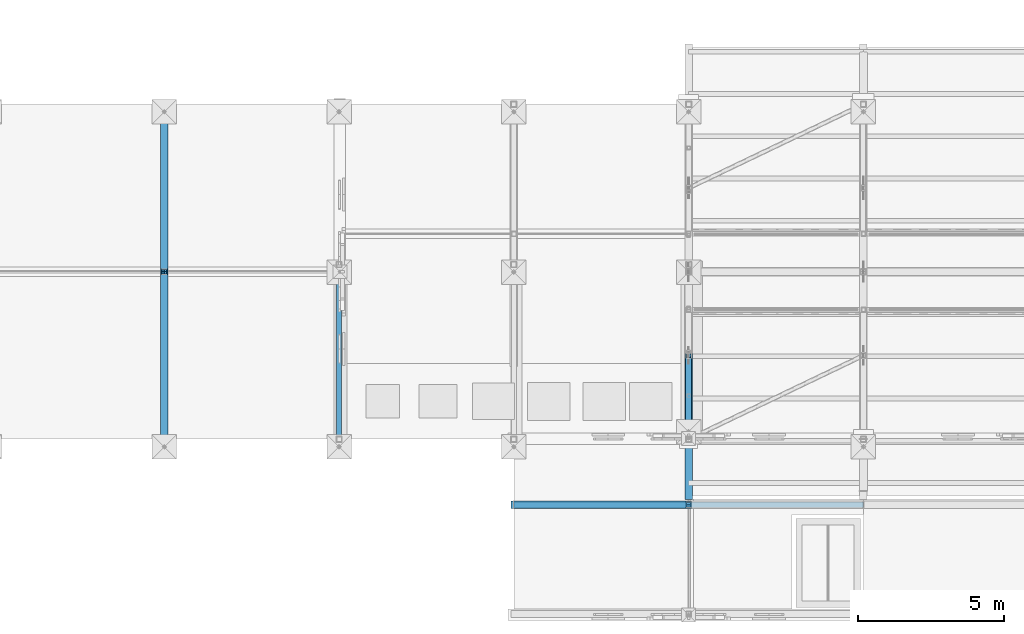
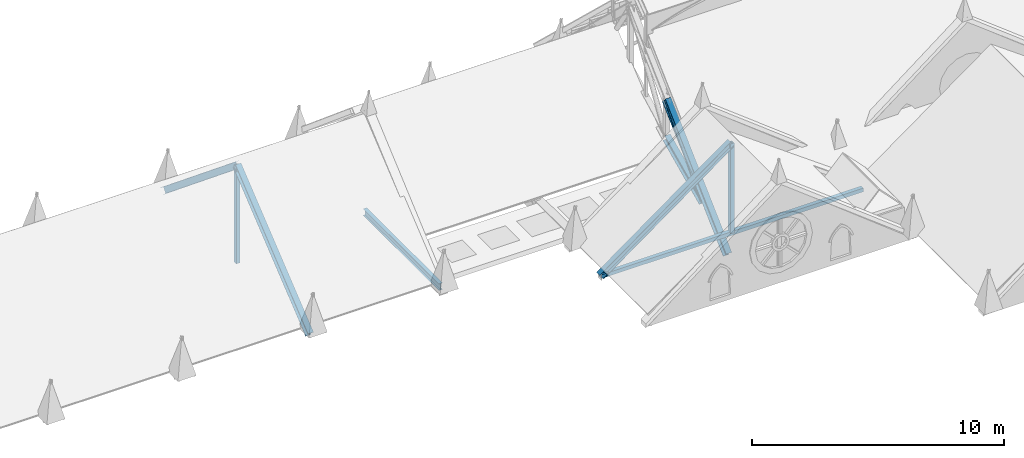
# One storey, part 4 of 33: 9 members, 1 beam.
"""IFC4 building model written with IfcOpenShell, lengths in metres."""

from ifc_helpers import new_model, si_unit, direction, frame, origin, origin_2d, place, context, subcontext, project, spatial, hollow_rectangle, hollow_circle, i_section, extrude, material, material_profile, profile_set, type_object, element, save


model = new_model("IFC4")

# Units and contexts
model_context = context("Model", 3, precision=1e-05, world=origin(), true_north=direction((0.0, 1.0)))
body_context = subcontext(model_context, "Body", "Model", "MODEL_VIEW")
ifc_project = project(units=[si_unit("LENGTHUNIT", "METRE"), si_unit("AREAUNIT", "SQUARE_METRE"), si_unit("VOLUMEUNIT", "CUBIC_METRE"), si_unit("PLANEANGLEUNIT", "RADIAN"), si_unit("MASSUNIT", "GRAM", prefix="KILO")], contexts=[model_context])

# Site, building, storey
site_placement = place(None, origin())
site = spatial("IfcSite", under=ifc_project, at=site_placement, CompositionType="ELEMENT")
building_placement = place(site_placement, origin())
building = spatial("IfcBuilding", under=site, at=building_placement, Name="Cumevento Cable Car Station", CompositionType="ELEMENT")
storey_placement = place(building_placement, frame((0.0, 0.0, 22.5)))
storey = spatial("IfcBuildingStorey", under=building, at=storey_placement, Name="RF", CompositionType="ELEMENT", Elevation=22.5)

# Members
ifc_material_1 = material(Name="Steel ASTM A572 Grade 50", Category="steel")
ifc_material_profile_1 = material_profile(ifc_material_1, hollow_rectangle(XDim=0.179931640625, YDim=0.179931640625, WallThickness=0.010009765625, at=origin_2d()), Name="HSS180x180x10.0")
ifc_profile_set_1 = profile_set([ifc_material_profile_1], Name="Steel ASTM A572 Grade 50")
member_type_1 = type_object("IfcMemberType", Name="Framing Brace BR-01 HSS180x180x10.0", PredefinedType="BRACE", material=ifc_profile_set_1)
member_1_placement = place(storey_placement, frame((58.0, 42.75, 0.0), z_axis=(1.0, 0.0, 0.0), x_axis=(0.0, 1.0, 0.0)))
element("IfcMember", 1, at=member_1_placement, inside=storey, type_object=member_type_1, Name="Wing B_V2c Truss Tie #712", PredefinedType="BRACE", context=body_context, shape_type="SweptSolid", body=[
    extrude(hollow_rectangle(XDim=0.179931640625, YDim=0.179931640625, WallThickness=0.010009765625, at=origin_2d()), origin(), (0.0, 0.0, 1.0), 12.0),
])
member_2_placement = place(storey_placement, frame((64.0, 42.75, 0.0), z_axis=(0.0, 0.0, 1.0), x_axis=(1.0, 0.0, 0.0)))
element("IfcMember", 2, at=member_2_placement, inside=storey, type_object=member_type_1, Name="Wing B_V2c King Post #713", PredefinedType="BRACE", context=body_context, shape_type="SweptSolid", body=[
    extrude(hollow_rectangle(XDim=0.179931640625, YDim=0.179931640625, WallThickness=0.010009765625, at=origin_2d()), origin(), (0.0, 0.0, 1.0), 4.35009765625),
])
member_3_placement = place(storey_placement, frame((46.0, 50.75, 0.0), z_axis=(0.0, 0.0, 1.0), x_axis=(1.0, 0.0, 0.0)))
element("IfcMember", 3, at=member_3_placement, inside=storey, type_object=member_type_1, Name="Wing B_V6c King Post #747", PredefinedType="BRACE", context=body_context, shape_type="SweptSolid", body=[
    extrude(hollow_rectangle(XDim=0.179931640625, YDim=0.179931640625, WallThickness=0.010009765625, at=origin_2d()), origin(), (0.0, 0.0, 1.0), 4.699951171875),
])
ifc_material_2 = material(Name="Steel ASTM A572 Grade 50", Category="steel")
ifc_material_profile_2 = material_profile(ifc_material_2, hollow_circle(Radius=0.109619140625, WallThickness=0.012451171875, at=origin_2d()), Name="CHS219.1x12.5")
ifc_profile_set_2 = profile_set([ifc_material_profile_2], Name="Steel ASTM A572 Grade 50")
member_type_2 = type_object("IfcMemberType", Name="Framing Brace TD-01 CHS219.1x12.5", PredefinedType="BRACE", material=ifc_profile_set_2)
member_4_placement = place(storey_placement, frame((64.0, 45.0, 0.139892578125), z_axis=(0.0, 0.669655633009, 0.74267175332), x_axis=(-1.0, 0.0, 0.0)))
element("IfcMember", 4, at=member_4_placement, inside=storey, type_object=member_type_2, Name="Boarding Hall Vault Arch Diagonal #18", PredefinedType="BRACE", context=body_context, shape_type="SweptSolid", body=[
    extrude(hollow_circle(Radius=0.109619140625, WallThickness=0.012451171875, at=origin_2d()), origin(), (0.0, 0.0, 1.0), 4.293212890625),
])
ifc_material_3 = material(Name="Steel ASTM A572 Grade 50", Category="steel")
ifc_material_profile_3 = material_profile(ifc_material_3, i_section(OverallWidth=0.257080078125, OverallDepth=0.363037109375, WebThickness=0.012939453125, FlangeThickness=0.021728515625, at=origin_2d()), Name="W360x122.0")
ifc_profile_set_3 = profile_set([ifc_material_profile_3], Name="Steel ASTM A572 Grade 50")
member_type_3 = type_object("IfcMemberType", Name="Framing Chord TC-01 W360x122.0", PredefinedType="CHORD", material=ifc_profile_set_3)
member_5_placement = place(storey_placement, frame((64.0, 43.050048828125, -1.25048828125), z_axis=(0.0, 0.725363131924, 0.688366419028), x_axis=(-1.0, 0.0, 0.0)))
element("IfcMember", 5, at=member_5_placement, inside=storey, type_object=member_type_3, Name="Boarding Hall Vault Lower Rafter S #7", PredefinedType="CHORD", context=body_context, shape_type="SweptSolid", body=[
    extrude(i_section(OverallWidth=0.257080078125, OverallDepth=0.363037109375, WebThickness=0.012939453125, FlangeThickness=0.021728515625, at=origin_2d()), origin(), (0.0, 0.0, 1.0), 6.65185546875),
])
ifc_material_4 = material(Name="Steel ASTM A572 Grade 50", Category="steel")
ifc_material_profile_4 = material_profile(ifc_material_4, i_section(OverallWidth=0.2548828125, OverallDepth=0.35693359375, WebThickness=0.010498046875, FlangeThickness=0.018310546875, at=origin_2d()), Name="W360x101.0")
ifc_profile_set_4 = profile_set([ifc_material_profile_4], Name="Steel ASTM A572 Grade 50")
member_type_4 = type_object("IfcMemberType", Name="Framing Chord TC-02 W360x101.0", PredefinedType="CHORD", material=ifc_profile_set_4)
member_6_placement = place(storey_placement, frame((64.0, 45.0, 0.139892578125), z_axis=(0.0, 0.905163318391, 0.425063956411), x_axis=(-1.0, 0.0, 0.0)))
element("IfcMember", 6, at=member_6_placement, inside=storey, type_object=member_type_4, Name="Boarding Hall Pointed-Arch Bottom Chord #3", PredefinedType="CHORD", context=body_context, shape_type="SweptSolid", body=[
    extrude(i_section(OverallWidth=0.2548828125, OverallDepth=0.35693359375, WebThickness=0.010498046875, FlangeThickness=0.018310546875, at=origin_2d()), origin(), (0.0, 0.0, 1.0), 3.17626953125),
])
ifc_material_5 = material(Name="Steel ASTM A572 Grade 50", Category="steel")
ifc_material_profile_5 = material_profile(ifc_material_5, i_section(OverallWidth=0.25390625, OverallDepth=0.305908203125, WebThickness=0.0087890625, FlangeThickness=0.0146484375, at=origin_2d()), Name="W310x79.0")
ifc_profile_set_5 = profile_set([ifc_material_profile_5], Name="Steel ASTM A572 Grade 50")
member_type_5 = type_object("IfcMemberType", Name="Framing Chord TC-03 W310x79.0", PredefinedType="CHORD", material=ifc_profile_set_5)
member_7_placement = place(storey_placement, frame((58.0, 42.75, 0.0), z_axis=(0.809604181367, 0.0, 0.586976208643), x_axis=(0.0, 1.0, 0.0)))
element("IfcMember", 7, at=member_7_placement, inside=storey, type_object=member_type_5, Name="Wing B_V2c Rafter #714", PredefinedType="CHORD", context=body_context, shape_type="SweptSolid", body=[
    extrude(i_section(OverallWidth=0.25390625, OverallDepth=0.305908203125, WebThickness=0.0087890625, FlangeThickness=0.0146484375, at=origin_2d()), origin(), (0.0, 0.0, 1.0), 7.4111328125),
])
for number, where, z_axis, x_axis, name in (
    (8, (46.0, 45.0, 0.0), (0.0, 0.774260404587, 0.632867147108), (-1.0, 0.0, 0.0), "Wing B_V6c Rafter #748"),
    (9, (46.0, 56.5, 0.0), (0.0, -0.774260404587, 0.632867147108), (1.0, 0.0, 0.0), "Wing B_V6c Rafter #749"),
):
    element("IfcMember", number, at=place(storey_placement, frame(where, z_axis=z_axis, x_axis=x_axis)), inside=storey, type_object=member_type_5, Name=name, PredefinedType="CHORD", context=body_context, shape_type="SweptSolid", body=[
        extrude(i_section(OverallWidth=0.25390625, OverallDepth=0.305908203125, WebThickness=0.0087890625, FlangeThickness=0.0146484375, at=origin_2d()), origin(), (0.0, 0.0, 1.0), 7.426513671875),
    ])

# Beam
ifc_material_6 = material(Name="Steel ASTM A572 Grade 50", Category="steel")
ifc_material_profile_6 = material_profile(ifc_material_6, i_section(OverallWidth=0.1669921875, OverallDepth=0.31689453125, WebThickness=0.007568359375, FlangeThickness=0.01318359375, at=origin_2d()), Name="W310x52.0")
ifc_profile_set_6 = profile_set([ifc_material_profile_6], Name="Steel ASTM A572 Grade 50")
beam_type = type_object("IfcBeamType", Name="Structural Beam RF-02 W310x52.0", PredefinedType="BEAM", material=ifc_profile_set_6)
beam_placement = place(storey_placement, frame((52.0, 45.0, 0.201416015625), z_axis=(0.0, 1.0, 0.0), x_axis=(-1.0, 0.0, 0.0)))
element("IfcBeam", 10, at=beam_placement, inside=storey, type_object=beam_type, Name="Monitor Support Beam #101", PredefinedType="BEAM", context=body_context, shape_type="SweptSolid", body=[
    extrude(i_section(OverallWidth=0.1669921875, OverallDepth=0.31689453125, WebThickness=0.007568359375, FlangeThickness=0.01318359375, at=origin_2d()), origin(), (0.0, 0.0, 1.0), 6.0),
])

save(model, "model.ifc")
